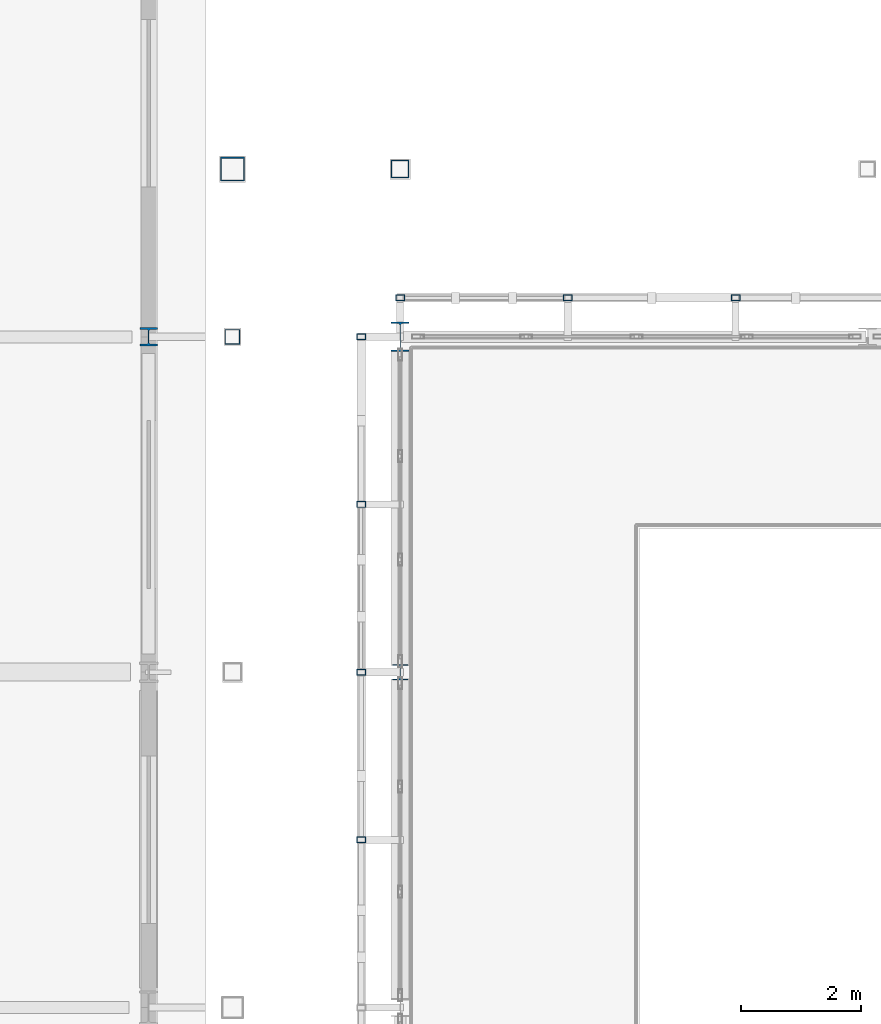
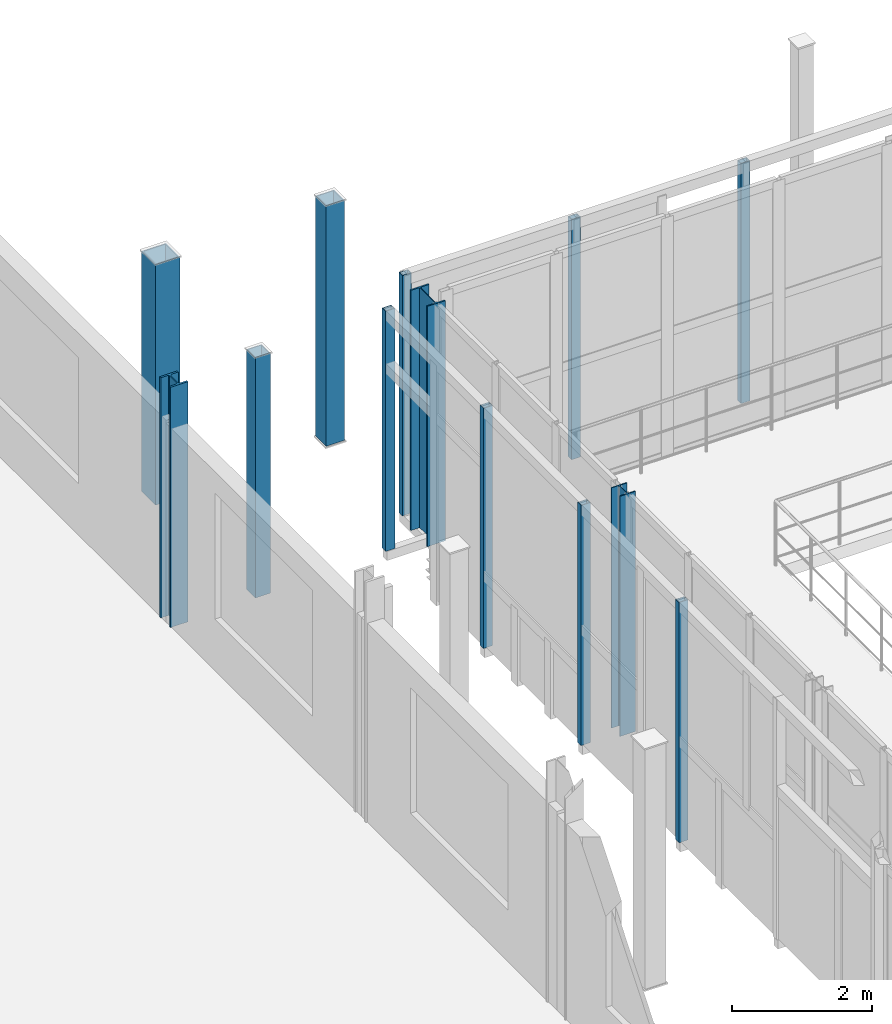
# One storey, part 8 of 138: 13 columns.
"""IFC4 building model written with IfcOpenShell, lengths in metres."""

import ifcopenshell
import ifcopenshell.guid

model = None  # the IFC model being written
_history = None  # IfcOwnerHistory: only IFC2X3 demands one
_inside = {}  # id of a spatial element -> (the spatial element, [elements in it])
_under = {}  # id of a project, library or spatial element -> (it, [spatial elements below it])
_declared = {}  # id of a project -> (the project, [libraries it declares])
_typed = {}  # id of a type object -> (the type object, [elements of that type])
_made_of = {}  # id of a material, layer set ... -> (it, [elements and type objects made of it])


def new_model(schema):
    """Start an empty IFC model of exactly this schema.

    Asked for "IFC4X3", IfcOpenShell would pick the latest addendum, in which some entities
    have other attributes; the version numbers below select the first issue.
    IFC2X3 requires an IfcOwnerHistory on every rooted entity: one is made here for all.
    """
    global model, _history
    if schema == "IFC4X3":
        model = ifcopenshell.file(schema_version=(4, 3, 0, 0))
    else:
        model = ifcopenshell.file(schema=schema)
    _inside.clear()
    _under.clear()
    _declared.clear()
    _typed.clear()
    _made_of.clear()
    _history = None
    if model.schema == "IFC2X3":
        org = make("IfcOrganization", Name="unknown")
        user = make(
            "IfcPersonAndOrganization",
            ThePerson=make("IfcPerson", FamilyName="unknown"),
            TheOrganization=org,
        )
        app = make(
            "IfcApplication",
            ApplicationDeveloper=org,
            Version="unknown",
            ApplicationFullName="unknown",
            ApplicationIdentifier="unknown",
        )
        _history = make(
            "IfcOwnerHistory",
            OwningUser=user,
            OwningApplication=app,
            ChangeAction="ADDED",
            CreationDate=0,
        )
    return model


def make(cls, **values):
    """One entity of the class cls with the attributes given. An attribute that is None is left unset."""
    return model.create_entity(
        cls, **{name: value for name, value in values.items() if value is not None}
    )


def rooted(cls, **values):
    """An entity with a GlobalId (a new one), such as an element, a storey or a relation."""
    return make(cls, GlobalId=ifcopenshell.guid.new(), OwnerHistory=_history, **values)


def si_unit(unit_type, name, prefix=None):
    """IfcSIUnit, for example si_unit("LENGTHUNIT", "METRE", prefix="MILLI")."""
    return make("IfcSIUnit", UnitType=unit_type, Prefix=prefix, Name=name)


def assignment(units):
    """IfcUnitAssignment: the units of a project."""
    return None if units is None else make("IfcUnitAssignment", Units=units)


def point(xyz):
    """IfcCartesianPoint."""
    return None if xyz is None else make("IfcCartesianPoint", Coordinates=xyz)


def direction(xyz):
    """IfcDirection."""
    return None if xyz is None else make("IfcDirection", DirectionRatios=xyz)


def frame(location, z_axis=None, x_axis=None):
    """IfcAxis2Placement3D, a coordinate frame: its origin and axes. An axis left out is left unset."""
    return make(
        "IfcAxis2Placement3D",
        Location=point(location),
        Axis=direction(z_axis),
        RefDirection=direction(x_axis),
    )


def frame_2d(location, x_axis=None):
    """IfcAxis2Placement2D, a coordinate frame in the plane: its origin and x axis."""
    return make(
        "IfcAxis2Placement2D", Location=point(location), RefDirection=direction(x_axis)
    )


def origin():
    """The frame at (0, 0, 0) with its axes left unset."""
    return frame((0.0, 0.0, 0.0))


def origin_2d():
    """The frame at (0, 0) in the plane with its x axis left unset."""
    return frame_2d((0.0, 0.0))


def place(relative_to, where):
    """IfcLocalPlacement: puts the frame where relative to a parent placement (None: the world)."""
    return make(
        "IfcLocalPlacement", PlacementRelTo=relative_to, RelativePlacement=where
    )


def context(
    kind, dimensions, precision=None, world=None, true_north=None, identifier=None
):
    """IfcGeometricRepresentationContext, for example the 3D "Model" context."""
    return make(
        "IfcGeometricRepresentationContext",
        ContextIdentifier=identifier,
        ContextType=kind,
        CoordinateSpaceDimension=dimensions,
        Precision=precision,
        WorldCoordinateSystem=world,
        TrueNorth=true_north,
    )


def subcontext(parent, identifier, kind, view, scale=None):
    """IfcGeometricRepresentationSubContext, for example "Body" below "Model"."""
    return make(
        "IfcGeometricRepresentationSubContext",
        ContextIdentifier=identifier,
        ContextType=kind,
        ParentContext=parent,
        TargetScale=scale,
        TargetView=view,
    )


def project(units=None, contexts=None):
    """IfcProject with its units and contexts."""
    return rooted(
        "IfcProject",
        Name="project",
        RepresentationContexts=contexts,
        UnitsInContext=assignment(units),
    )


def spatial(cls, under=None, at=None, **own):
    """A site, building, storey or space (cls), placed at a placement, below another one or the project."""
    s = rooted(cls, ObjectPlacement=at, **own)
    if under is not None:
        _under.setdefault(under.id(), (under, []))[1].append(s)
    return s


def profile(cls, at=None, kind="AREA", **sizes):
    """A parametric profile (cls). Its sizes go by their IFC names, for example OverallWidth=200.0."""
    return make(cls, ProfileType=kind, Position=at, **sizes)


def hollow_rectangle(**sizes):
    """IfcRectangleHollowProfileDef."""
    return profile("IfcRectangleHollowProfileDef", **sizes)


def i_section(**sizes):
    """IfcIShapeProfileDef."""
    return profile("IfcIShapeProfileDef", **sizes)


def extrude(swept, where, along, depth):
    """IfcExtrudedAreaSolid: the profile swept, set in the frame where, extruded along a direction by depth."""
    return make(
        "IfcExtrudedAreaSolid",
        SweptArea=swept,
        Position=where,
        ExtrudedDirection=direction(along),
        Depth=depth,
    )


def shape(context_of_items, identifier, shape_type, items):
    """IfcShapeRepresentation: the items that make up one representation, for example the "Body"."""
    return make(
        "IfcShapeRepresentation",
        ContextOfItems=context_of_items,
        RepresentationIdentifier=identifier,
        RepresentationType=shape_type,
        Items=items,
    )


def material(Name=None, Category=None):
    """IfcMaterial."""
    return make("IfcMaterial", Name=Name, Category=Category)


def material_profile(
    of_material, cross_section, Name=None, Category=None, Priority=None
):
    """IfcMaterialProfile: a cross section and its material."""
    return make(
        "IfcMaterialProfile",
        Name=Name,
        Material=of_material,
        Profile=cross_section,
        Priority=Priority,
        Category=Category,
    )


def profile_set(profiles, Name=None, composite=None):
    """IfcMaterialProfileSet."""
    return make(
        "IfcMaterialProfileSet",
        Name=Name,
        MaterialProfiles=profiles,
        CompositeProfile=composite,
    )


def made_of(thing, what):
    """Note that an element or type object is made of a material, layer set ...; save() writes the relation."""
    if what is not None:
        _made_of.setdefault(what.id(), (what, []))[1].append(thing)
    return thing


def type_object(cls, material=None, **own):
    """A type object (cls), such as IfcWallType, which elements share."""
    return made_of(rooted(cls, **own), material)


def element(
    cls,
    number,
    at=None,
    inside=None,
    cuts=None,
    type_object=None,
    material=None,
    context=None,
    identifier="Body",
    shape_type=None,
    held_by="IfcProductDefinitionShape",
    body=None,
    shapes=None,
    **own,
):
    """One element of the class cls, such as IfcWall. Its Tag is "e" and its number.

    at: its placement. inside: the storey or other place that contains it. cuts: it is an
    opening in that element (IfcRelVoidsElement). A single representation is given by context,
    identifier, shape_type and body (its items); several are given by shapes. held_by: the class
    of the entity that holds the representations. save() writes the other relations.
    """
    e = rooted(cls, Tag="e%d" % number, ObjectPlacement=at, **own)
    if body is not None:
        shapes = [shape(context, identifier, shape_type, body)]
    if shapes is not None:
        e.Representation = make(held_by, Representations=shapes)
    if inside is not None:
        _inside.setdefault(inside.id(), (inside, []))[1].append(e)
    if cuts is not None:
        rooted(
            "IfcRelVoidsElement", RelatingBuildingElement=cuts, RelatedOpeningElement=e
        )
    if type_object is not None:
        _typed.setdefault(type_object.id(), (type_object, []))[1].append(e)
    return made_of(e, material)


def aggregate(whole, parts):
    """IfcRelAggregates: a whole, such as a stair, and the parts it consists of."""
    return rooted("IfcRelAggregates", RelatingObject=whole, RelatedObjects=parts)


def save(model, path):
    """Write the relations noted so far, then the file.

    IfcRelAggregates (storeys below a building ...), IfcRelContainedInSpatialStructure (elements
    in a storey), IfcRelDefinesByType, IfcRelAssociatesMaterial and IfcRelDeclares: one each for
    every whole, place, type object, material and project.
    """
    for whole, parts in _under.values():
        aggregate(whole, parts)
    for where, things in _inside.values():
        rooted(
            "IfcRelContainedInSpatialStructure",
            RelatedElements=things,
            RelatingStructure=where,
        )
    for kind, things in _typed.values():
        rooted("IfcRelDefinesByType", RelatedObjects=things, RelatingType=kind)
    for what, things in _made_of.values():
        rooted("IfcRelAssociatesMaterial", RelatedObjects=things, RelatingMaterial=what)
    for by, libraries in _declared.values():
        rooted("IfcRelDeclares", RelatingContext=by, RelatedDefinitions=libraries)
    model.write(path)


model = new_model("IFC4")

# Units and contexts
model_context = context("Model", 3, precision=1e-05, world=origin(), true_north=direction((0.0, 1.0)))
body_context = subcontext(model_context, "Body", "Model", "MODEL_VIEW")
ifc_project = project(units=[si_unit("LENGTHUNIT", "METRE"), si_unit("AREAUNIT", "SQUARE_METRE"), si_unit("VOLUMEUNIT", "CUBIC_METRE"), si_unit("PLANEANGLEUNIT", "RADIAN"), si_unit("MASSUNIT", "GRAM", prefix="KILO")], contexts=[model_context])

# Site, building, storey
site_placement = place(None, origin())
site = spatial("IfcSite", under=ifc_project, at=site_placement, CompositionType="ELEMENT")
building_placement = place(site_placement, origin())
building = spatial("IfcBuilding", under=site, at=building_placement, Name="Vinh Khe Railworks Police Headquarters", CompositionType="ELEMENT")
storey_placement = place(building_placement, frame((0.0, 0.0, 9.0)))
storey = spatial("IfcBuildingStorey", under=building, at=storey_placement, Name="L02", CompositionType="ELEMENT", Elevation=9.0)

# Columns
ifc_material = material(Name="Steel S355JR", Category="steel")
ifc_material_profile_1 = material_profile(ifc_material, hollow_rectangle(XDim=0.14990234375, YDim=0.10009765625, WallThickness=0.008056640625, at=origin_2d()), Name="RHS 150x100x8")
ifc_profile_set_1 = profile_set([ifc_material_profile_1], Name="Steel S355JR")
column_type_1 = type_object("IfcColumnType", Name="COL-QUILT-POST", PredefinedType="COLUMN", material=ifc_profile_set_1)
for number, where, z_axis, x_axis, name in (
    (1, (26.39990234375, 59.449951171875, 0.0), (0.0, 0.0, 1.0), (1.0, 0.0, 0.0), "Patchwork Quilt Carrier Column N-1 (L02)"),
    (2, (29.199951171875, 59.449951171875, 0.0), (0.0, 0.0, 1.0), (1.0, 0.0, 0.0), "Patchwork Quilt Carrier Column N-2 (L02)"),
    (3, (32.0, 59.449951171875, 0.0), (0.0, 0.0, 1.0), (1.0, 0.0, 0.0), "Patchwork Quilt Carrier Column N-3 (L02)"),
    (4, (25.75, 50.39990234375, 0.0), (0.0, 0.0, 1.0), (1.0, 0.0, 0.0), "Patchwork Quilt Carrier Column W-10 (L02)"),
    (5, (25.75, 53.199951171875, 0.0), (0.0, 0.0, 1.0), (1.0, 0.0, 0.0), "Patchwork Quilt Carrier Column W-11 (L02)"),
    (6, (25.75, 56.0, 0.0), (0.0, 0.0, 1.0), (1.0, 0.0, 0.0), "Patchwork Quilt Carrier Column W-12 (L02)"),
    (7, (25.75, 58.800048828125, 0.0), (0.0, 0.0, 1.0), (1.0, 0.0, 0.0), "Patchwork Quilt Carrier Column W-13 (L02)"),
):
    element("IfcColumn", number, at=place(storey_placement, frame(where, z_axis=z_axis, x_axis=x_axis)), inside=storey, type_object=column_type_1, Name=name, PredefinedType="COLUMN", context=body_context, shape_type="SweptSolid", body=[
        extrude(hollow_rectangle(XDim=0.14990234375, YDim=0.10009765625, WallThickness=0.008056640625, at=origin_2d()), origin(), (0.0, 0.0, 1.0), 4.199951171875),
    ])
ifc_material_profile_2 = material_profile(ifc_material, i_section(OverallWidth=0.300048828125, OverallDepth=0.489990234375, WebThickness=0.011962890625, FlangeThickness=0.02294921875, FilletRadius=0.027099609375, at=origin_2d()), Name="HEA 500")
ifc_profile_set_2 = profile_set([ifc_material_profile_2], Name="Steel S355JR")
column_type_2 = type_object("IfcColumnType", Name="Steel Column HEA 500", PredefinedType="COLUMN", material=ifc_profile_set_2)
column_1_placement = place(storey_placement, frame((26.39990234375, 58.800048828125, 0.0), z_axis=(0.0, 0.0, 1.0), x_axis=(1.0, 0.0, 0.0)))
element("IfcColumn", 8, at=column_1_placement, inside=storey, type_object=column_type_2, Name="Column COL-L02-SC-13-0755", PredefinedType="COLUMN", context=body_context, shape_type="SweptSolid", body=[
    extrude(i_section(OverallWidth=0.300048828125, OverallDepth=0.489990234375, WebThickness=0.011962890625, FlangeThickness=0.02294921875, FilletRadius=0.027099609375, at=origin_2d()), origin(), (0.0, 0.0, 1.0), 4.199951171875),
])
ifc_material_profile_3 = material_profile(ifc_material, i_section(OverallWidth=0.260009765625, OverallDepth=0.260009765625, WebThickness=0.010009765625, FlangeThickness=0.017578125, FilletRadius=0.02392578125, at=origin_2d()), Name="HEB 260")
ifc_profile_set_3 = profile_set([ifc_material_profile_3], Name="Steel S355JR")
column_type_3 = type_object("IfcColumnType", Name="Steel Column HEB 260", PredefinedType="COLUMN", material=ifc_profile_set_3)
column_2_placement = place(storey_placement, frame((26.39990234375, 53.199951171875, 0.0), z_axis=(0.0, 0.0, 1.0), x_axis=(1.0, 0.0, 0.0)))
element("IfcColumn", 9, at=column_2_placement, inside=storey, type_object=column_type_3, Name="Column COL-L02-SC-12-0750", PredefinedType="COLUMN", context=body_context, shape_type="SweptSolid", body=[
    extrude(i_section(OverallWidth=0.260009765625, OverallDepth=0.260009765625, WebThickness=0.010009765625, FlangeThickness=0.017578125, FilletRadius=0.02392578125, at=origin_2d()), origin(), (0.0, 0.0, 1.0), 4.199951171875),
])
ifc_material_profile_4 = material_profile(ifc_material, i_section(OverallWidth=0.2880859375, OverallDepth=0.31005859375, WebThickness=0.0185546875, FlangeThickness=0.032958984375, FilletRadius=0.02392578125, at=origin_2d()), Name="HEM 280")
ifc_profile_set_4 = profile_set([ifc_material_profile_4], Name="Steel S355JR")
column_type_4 = type_object("IfcColumnType", Name="Steel Column HEM 280", PredefinedType="COLUMN", material=ifc_profile_set_4)
column_3_placement = place(storey_placement, frame((22.199951171875, 58.800048828125, 0.0), z_axis=(0.0, 0.0, 1.0), x_axis=(1.0, 0.0, 0.0)))
element("IfcColumn", 10, at=column_3_placement, inside=storey, type_object=column_type_4, Name="Column COL-L02-SC-02-0574", PredefinedType="COLUMN", context=body_context, shape_type="SweptSolid", body=[
    extrude(i_section(OverallWidth=0.2880859375, OverallDepth=0.31005859375, WebThickness=0.0185546875, FlangeThickness=0.032958984375, FilletRadius=0.02392578125, at=origin_2d()), origin(), (0.0, 0.0, 1.0), 4.199951171875),
])
ifc_material_profile_5 = material_profile(ifc_material, hollow_rectangle(XDim=0.25, YDim=0.25, WallThickness=0.012451171875, at=origin_2d()), Name="SHS 250x250x12.5")
ifc_profile_set_5 = profile_set([ifc_material_profile_5], Name="Steel S355JR")
column_type_5 = type_object("IfcColumnType", Name="Steel Column SHS 250x250x12.5", PredefinedType="COLUMN", material=ifc_profile_set_5)
column_4_placement = place(storey_placement, frame((23.60009765625, 58.800048828125, 0.0), z_axis=(0.0, 0.0, 1.0), x_axis=(1.0, 0.0, 0.0)))
element("IfcColumn", 11, at=column_4_placement, inside=storey, type_object=column_type_5, Name="Column COL-L02-SC-24-0693", PredefinedType="COLUMN", context=body_context, shape_type="SweptSolid", body=[
    extrude(hollow_rectangle(XDim=0.25, YDim=0.25, WallThickness=0.012451171875, at=origin_2d()), origin(), (0.0, 0.0, 1.0), 4.199951171875),
])
ifc_material_profile_6 = material_profile(ifc_material, hollow_rectangle(XDim=0.300048828125, YDim=0.300048828125, WallThickness=0.01611328125, at=origin_2d()), Name="SHS 300x300x16")
ifc_profile_set_6 = profile_set([ifc_material_profile_6], Name="Steel S355JR")
column_type_6 = type_object("IfcColumnType", Name="Steel Column SHS 300x300x16", PredefinedType="COLUMN", material=ifc_profile_set_6)
column_5_placement = place(storey_placement, frame((26.39990234375, 61.60009765625, 0.0), z_axis=(0.0, 0.0, 1.0), x_axis=(1.0, 0.0, 0.0)))
element("IfcColumn", 12, at=column_5_placement, inside=storey, type_object=column_type_6, Name="Column COL-L02-SC-23-0760", PredefinedType="COLUMN", context=body_context, shape_type="SweptSolid", body=[
    extrude(hollow_rectangle(XDim=0.300048828125, YDim=0.300048828125, WallThickness=0.01611328125, at=origin_2d()), origin(), (0.0, 0.0, 1.0), 4.199951171875),
])
ifc_material_profile_7 = material_profile(ifc_material, hollow_rectangle(XDim=0.39990234375, YDim=0.39990234375, WallThickness=0.02001953125, at=origin_2d()), Name="SHS 400x400x20")
ifc_profile_set_7 = profile_set([ifc_material_profile_7], Name="Steel S355JR")
column_type_7 = type_object("IfcColumnType", Name="Steel Column SHS 400x400x20", PredefinedType="COLUMN", material=ifc_profile_set_7)
column_6_placement = place(storey_placement, frame((23.60009765625, 61.60009765625, 0.0), z_axis=(0.0, 0.0, 1.0), x_axis=(1.0, 0.0, 0.0)))
element("IfcColumn", 13, at=column_6_placement, inside=storey, type_object=column_type_7, Name="Column COL-L02-SC-21-0698", PredefinedType="COLUMN", context=body_context, shape_type="SweptSolid", body=[
    extrude(hollow_rectangle(XDim=0.39990234375, YDim=0.39990234375, WallThickness=0.02001953125, at=origin_2d()), origin(), (0.0, 0.0, 1.0), 4.199951171875),
])

save(model, "model.ifc")
